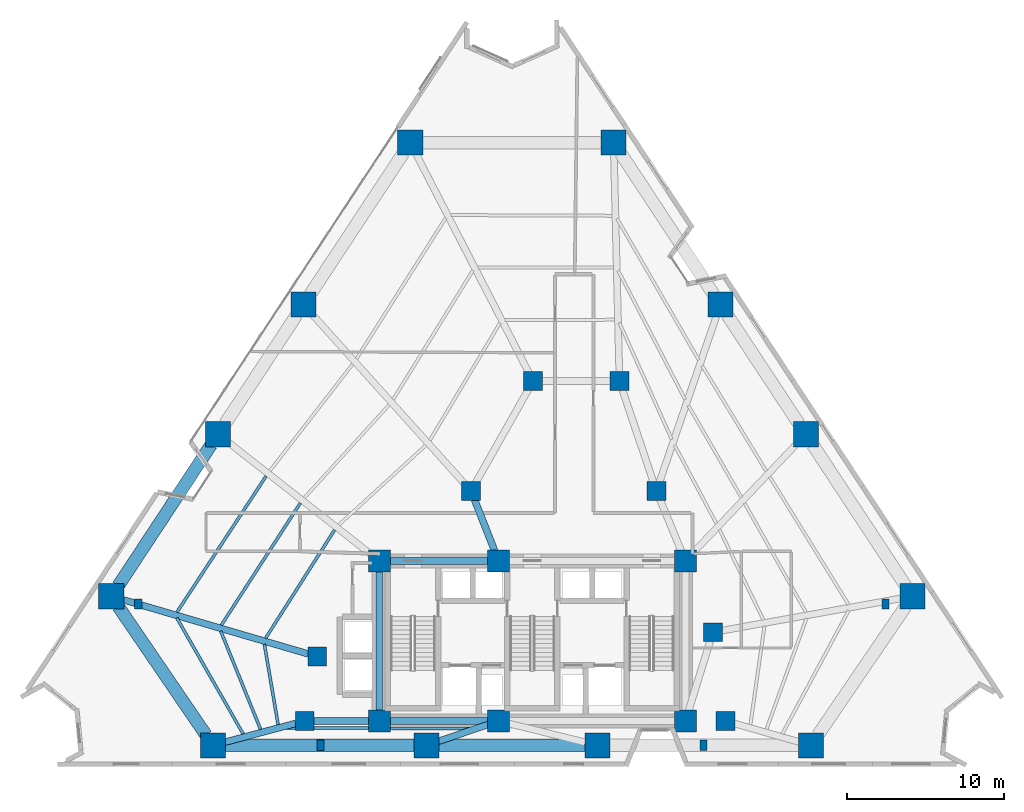
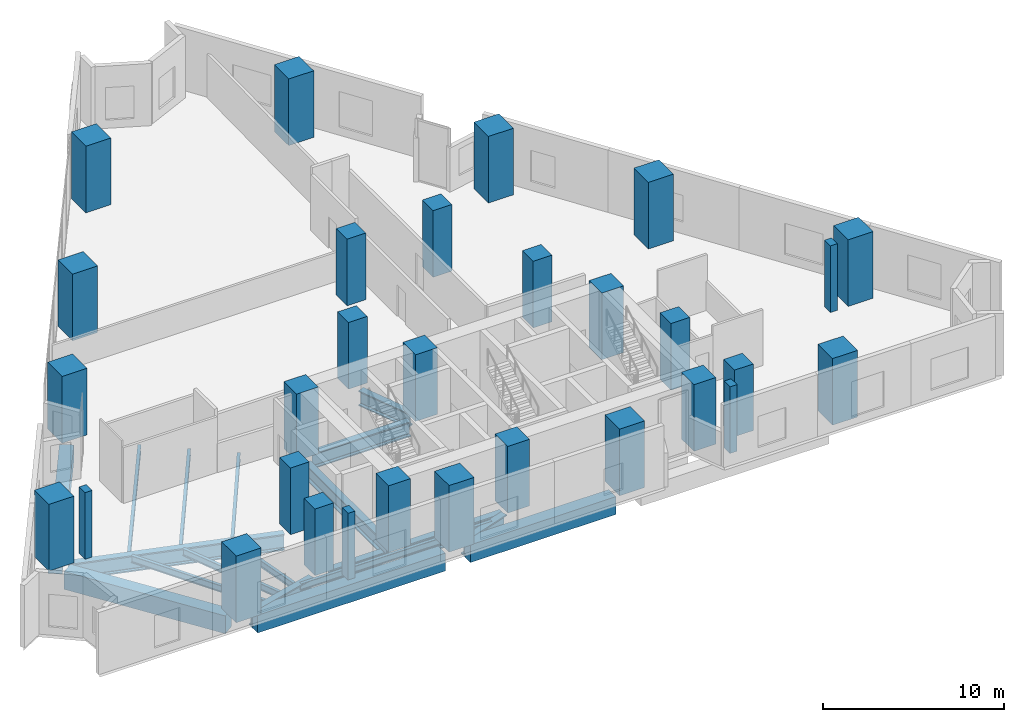
# One storey, part 1 of 11: 30 columns, 19 beams.
"""IFC4 building model written with IfcOpenShell, lengths in metres."""

from ifc_helpers import new_model, si_unit, direction, frame, origin, origin_2d, place, context, subcontext, project, spatial, rectangle, i_section, extrude, material, material_profile, profile_set, type_object, element, save


model = new_model("IFC4")

# Units and contexts
model_context = context("Model", 3, precision=1e-05, world=origin(), true_north=direction((0.0, 1.0)))
body_context = subcontext(model_context, "Body", "Model", "MODEL_VIEW")
ifc_project = project(units=[si_unit("LENGTHUNIT", "METRE"), si_unit("AREAUNIT", "SQUARE_METRE"), si_unit("VOLUMEUNIT", "CUBIC_METRE"), si_unit("PLANEANGLEUNIT", "RADIAN"), si_unit("MASSUNIT", "GRAM", prefix="KILO")], contexts=[model_context])

# Site, building, storey
site_placement = place(None, origin())
site = spatial("IfcSite", under=ifc_project, at=site_placement, CompositionType="ELEMENT")
building_placement = place(site_placement, origin())
building = spatial("IfcBuilding", under=site, at=building_placement, Name="Almagre Mirador Tower", CompositionType="ELEMENT")
storey_placement = place(building_placement, frame((0.0, 0.0, 21.89990234375)))
storey = spatial("IfcBuildingStorey", under=building, at=storey_placement, Name="L04", CompositionType="ELEMENT", Elevation=21.89990234375)

# Columns
ifc_material_1 = material(Name="Precast concrete C50/60", Category="concrete")
ifc_material_profile_1 = material_profile(ifc_material_1, rectangle(XDim=0.449951171875, YDim=0.64990234375, at=origin_2d()), Name="RC450X650")
ifc_profile_set_1 = profile_set([ifc_material_profile_1], Name="Precast concrete C50/60")
column_type_1 = type_object("IfcColumnType", Name="COL-PIL-450X650", PredefinedType="PILASTER", material=ifc_profile_set_1)
for number, where, z_axis, x_axis, name in (
    (1, (23.800048828125, 3.0, 0.0), (0.0, 0.0, 1.0), (1.0, 0.0, 0.0), "L04 expressed frame pilaster 01"),
    (2, (48.199951171875, 3.0, 0.0), (0.0, 0.0, 1.0), (1.0, 0.0, 0.0), "L04 expressed frame pilaster 02"),
    (3, (12.199951171875, 12.0, 0.0), (0.0, 0.0, 1.0), (1.0, 0.0, 0.0), "L04 expressed frame pilaster 03"),
    (4, (59.800048828125, 12.0, 0.0), (0.0, 0.0, 1.0), (1.0, 0.0, 0.0), "L04 expressed frame pilaster 04"),
):
    element("IfcColumn", number, at=place(storey_placement, frame(where, z_axis=z_axis, x_axis=x_axis)), inside=storey, type_object=column_type_1, Name=name, PredefinedType="PILASTER", context=body_context, shape_type="SweptSolid", body=[
        extrude(rectangle(XDim=0.449951171875, YDim=0.64990234375, at=origin_2d()), origin(), (0.0, 0.0, 1.0), 4.5),
    ])
ifc_material_2 = material(Name="Concrete C60/75", Category="concrete")
ifc_material_profile_2 = material_profile(ifc_material_2, rectangle(XDim=1.199951171875, YDim=1.199951171875, at=origin_2d()), Name="RC1200X1200")
ifc_profile_set_2 = profile_set([ifc_material_profile_2], Name="Concrete C60/75")
column_type_2 = type_object("IfcColumnType", Name="COL-RC1200", PredefinedType="COLUMN", material=ifc_profile_set_2)
for number, where, z_axis, x_axis, name in (
    (5, (22.800048828125, 4.550048828125, 0.0), (0.0, 0.0, 1.0), (1.0, 0.0, 0.0), "L04 interior transfer column MC1"),
    (6, (49.60009765625, 4.550048828125, 0.0), (0.0, 0.0, 1.0), (1.0, 0.0, 0.0), "L04 interior transfer column MC2"),
    (7, (48.800048828125, 10.199951171875, 0.0), (0.0, 0.0, 1.0), (1.0, 0.0, 0.0), "L04 interior transfer column MC3"),
    (8, (45.199951171875, 19.199951171875, 0.0), (0.0, 0.0, 1.0), (1.0, 0.0, 0.0), "L04 interior transfer column MC5"),
    (9, (42.85009765625, 26.199951171875, 0.0), (0.0, 0.0, 1.0), (1.0, 0.0, 0.0), "L04 interior transfer column MC6"),
    (10, (37.35009765625, 26.199951171875, 0.0), (0.0, 0.0, 1.0), (1.0, 0.0, 0.0), "L04 interior transfer column MC7"),
    (11, (33.39990234375, 19.199951171875, 0.0), (0.0, 0.0, 1.0), (1.0, 0.0, 0.0), "L04 interior transfer column MC8"),
    (12, (23.60009765625, 8.64990234375, 0.0), (0.0, 0.0, 1.0), (1.0, 0.0, 0.0), "L04 interior transfer column MC10"),
):
    element("IfcColumn", number, at=place(storey_placement, frame(where, z_axis=z_axis, x_axis=x_axis)), inside=storey, type_object=column_type_2, Name=name, PredefinedType="COLUMN", context=body_context, shape_type="SweptSolid", body=[
        extrude(rectangle(XDim=1.199951171875, YDim=1.199951171875, at=origin_2d()), origin(), (0.0, 0.0, 1.0), 4.5),
    ])
ifc_material_3 = material(Name="Concrete C60/75", Category="concrete")
ifc_material_profile_3 = material_profile(ifc_material_3, rectangle(XDim=1.39990234375, YDim=1.39990234375, at=origin_2d()), Name="RC1400X1400")
ifc_profile_set_3 = profile_set([ifc_material_profile_3], Name="Concrete C60/75")
column_type_3 = type_object("IfcColumnType", Name="COL-RC1400", PredefinedType="COLUMN", material=ifc_profile_set_3)
for number, where, z_axis, x_axis, name in (
    (13, (27.550048828125, 4.550048828125, 0.0), (0.0, 0.0, 1.0), (1.0, 0.0, 0.0), "L04 core spine column CC1"),
    (14, (35.14990234375, 4.550048828125, 0.0), (0.0, 0.0, 1.0), (1.0, 0.0, 0.0), "L04 core spine column CC2"),
    (15, (47.050048828125, 4.550048828125, 0.0), (0.0, 0.0, 1.0), (1.0, 0.0, 0.0), "L04 core spine column CC3"),
    (16, (27.550048828125, 14.75, 0.0), (0.0, 0.0, 1.0), (1.0, 0.0, 0.0), "L04 core spine column CC4"),
    (17, (35.14990234375, 14.75, 0.0), (0.0, 0.0, 1.0), (1.0, 0.0, 0.0), "L04 core spine column CC5"),
    (18, (47.050048828125, 14.75, 0.0), (0.0, 0.0, 1.0), (1.0, 0.0, 0.0), "L04 core spine column CC6"),
):
    element("IfcColumn", number, at=place(storey_placement, frame(where, z_axis=z_axis, x_axis=x_axis)), inside=storey, type_object=column_type_3, Name=name, PredefinedType="COLUMN", context=body_context, shape_type="SweptSolid", body=[
        extrude(rectangle(XDim=1.39990234375, YDim=1.39990234375, at=origin_2d()), origin(), (0.0, 0.0, 1.0), 4.5),
    ])
ifc_material_4 = material(Name="Concrete C70/85", Category="concrete")
ifc_material_profile_4 = material_profile(ifc_material_4, rectangle(XDim=1.60009765625, YDim=1.60009765625, at=origin_2d()), Name="RC1600X1600")
ifc_profile_set_4 = profile_set([ifc_material_profile_4], Name="Concrete C70/85")
column_type_4 = type_object("IfcColumnType", Name="COL-RC1600", PredefinedType="COLUMN", material=ifc_profile_set_4)
for number, where, z_axis, x_axis, name in (
    (19, (16.9599609375, 3.0, 0.0), (0.0, 0.0, 1.0), (1.0, 0.0, 0.0), "L04 perimeter column PC01"),
    (20, (30.56005859375, 3.0, 0.0), (0.0, 0.0, 1.0), (1.0, 0.0, 0.0), "L04 perimeter column PC02"),
    (21, (41.43994140625, 3.0, 0.0), (0.0, 0.0, 1.0), (1.0, 0.0, 0.0), "L04 perimeter column PC03"),
    (22, (55.0400390625, 3.0, 0.0), (0.0, 0.0, 1.0), (1.0, 0.0, 0.0), "L04 perimeter column PC04"),
    (23, (61.51806640625, 12.491943359375, 0.0), (0.0, 0.0, 1.0), (1.0, 0.0, 0.0), "L04 perimeter column PC05"),
    (24, (54.718017578125, 22.81201171875, 0.0), (0.0, 0.0, 1.0), (1.0, 0.0, 0.0), "L04 perimeter column PC06"),
    (25, (49.278076171875, 31.068115234375, 0.0), (0.0, 0.0, 1.0), (1.0, 0.0, 0.0), "L04 perimeter column PC07"),
    (26, (42.47802734375, 41.387939453125, 0.0), (0.0, 0.0, 1.0), (1.0, 0.0, 0.0), "L04 perimeter column PC08"),
    (27, (29.52197265625, 41.387939453125, 0.0), (0.0, 0.0, 1.0), (1.0, 0.0, 0.0), "L04 perimeter column PC09"),
    (28, (22.721923828125, 31.068115234375, 0.0), (0.0, 0.0, 1.0), (1.0, 0.0, 0.0), "L04 perimeter column PC10"),
    (29, (17.281982421875, 22.81201171875, 0.0), (0.0, 0.0, 1.0), (1.0, 0.0, 0.0), "L04 perimeter column PC11"),
    (30, (10.48193359375, 12.491943359375, 0.0), (0.0, 0.0, 1.0), (1.0, 0.0, 0.0), "L04 perimeter column PC12"),
):
    element("IfcColumn", number, at=place(storey_placement, frame(where, z_axis=z_axis, x_axis=x_axis)), inside=storey, type_object=column_type_4, Name=name, PredefinedType="COLUMN", context=body_context, shape_type="SweptSolid", body=[
        extrude(rectangle(XDim=1.60009765625, YDim=1.60009765625, at=origin_2d()), origin(), (0.0, 0.0, 1.0), 4.5),
    ])

# Beams
ifc_material_5 = material(Name="Steel ASTM A992 Grade 50", Category="steel")
ifc_material_profile_5 = material_profile(ifc_material_5, i_section(OverallWidth=0.19091796875, OverallDepth=0.4599609375, WebThickness=0.010009765625, FlangeThickness=0.01611328125, FilletRadius=0.01611328125, at=origin_2d()), Name="W18X55")
ifc_profile_set_5 = profile_set([ifc_material_profile_5], Name="Steel ASTM A992 Grade 50")
beam_type_1 = type_object("IfcBeamType", Name="BM-JST-W18X55", PredefinedType="JOIST", material=ifc_profile_set_5)
beam_1_placement = place(storey_placement, frame((21.355224609375, 4.109619140625, -0.52978515625), z_axis=(0.999994644337, -0.003272811963, 0.0), x_axis=(0.003272811963, 0.999994644337, 0.0)))
element("IfcBeam", 31, at=beam_1_placement, inside=storey, type_object=beam_type_1, Name="L04 secondary floor joist PC01-PC02.3", PredefinedType="JOIST", context=body_context, shape_type="SweptSolid", body=[
    extrude(i_section(OverallWidth=0.19091796875, OverallDepth=0.4599609375, WebThickness=0.010009765625, FlangeThickness=0.01611328125, FilletRadius=0.01611328125, at=origin_2d()), origin(), (0.0, 0.0, 1.0), 12.1591796875),
])
beam_2_placement = place(storey_placement, frame((20.339599609375, 20.142578125, -0.52978515625), z_axis=(-0.548057533709, -0.836440637311, 0.0), x_axis=(0.836440637311, -0.548057533709, 0.0)))
element("IfcBeam", 32, at=beam_2_placement, inside=storey, type_object=beam_type_1, Name="L04 secondary floor joist PC11-PC12.1", PredefinedType="JOIST", context=body_context, shape_type="SweptSolid", body=[
    extrude(i_section(OverallWidth=0.19091796875, OverallDepth=0.4599609375, WebThickness=0.010009765625, FlangeThickness=0.01611328125, FilletRadius=0.01611328125, at=origin_2d()), origin(), (0.0, 0.0, 1.0), 10.35791015625),
])
beam_3_placement = place(storey_placement, frame((22.52197265625, 18.429443359375, -0.52978515625), z_axis=(-0.543393311141, -0.839478236411, 0.0), x_axis=(0.839478236411, -0.543393311141, 0.0)))
element("IfcBeam", 33, at=beam_3_placement, inside=storey, type_object=beam_type_1, Name="L04 secondary floor joist PC11-PC12.2", PredefinedType="JOIST", context=body_context, shape_type="SweptSolid", body=[
    extrude(i_section(OverallWidth=0.19091796875, OverallDepth=0.4599609375, WebThickness=0.010009765625, FlangeThickness=0.01611328125, FilletRadius=0.01611328125, at=origin_2d()), origin(), (0.0, 0.0, 1.0), 9.264892578125),
])
beam_4_placement = place(storey_placement, frame((24.704345703125, 16.716064453125, -0.52978515625), z_axis=(-0.537470771292, -0.84328237857, 0.0), x_axis=(0.84328237857, -0.537470771292, 0.0)))
element("IfcBeam", 34, at=beam_4_placement, inside=storey, type_object=beam_type_1, Name="L04 secondary floor joist PC11-PC12.3", PredefinedType="JOIST", context=body_context, shape_type="SweptSolid", body=[
    extrude(i_section(OverallWidth=0.19091796875, OverallDepth=0.4599609375, WebThickness=0.010009765625, FlangeThickness=0.01611328125, FilletRadius=0.01611328125, at=origin_2d()), origin(), (0.0, 0.0, 1.0), 8.171875),
])
beam_5_placement = place(storey_placement, frame((14.65185546875, 11.117431640625, -0.52978515625), z_axis=(0.496743635229, -0.867897321611, 0.0), x_axis=(0.867897321611, 0.496743635229, 0.0)))
element("IfcBeam", 35, at=beam_5_placement, inside=storey, type_object=beam_type_1, Name="L04 secondary floor joist PC12-PC01.1", PredefinedType="JOIST", context=body_context, shape_type="SweptSolid", body=[
    extrude(i_section(OverallWidth=0.19091796875, OverallDepth=0.4599609375, WebThickness=0.010009765625, FlangeThickness=0.01611328125, FilletRadius=0.01611328125, at=origin_2d()), origin(), (0.0, 0.0, 1.0), 8.520263671875),
])
beam_6_placement = place(storey_placement, frame((17.451904296875, 10.27734375, -0.52978515625), z_axis=(0.375521248996, -0.926813784723, 0.0), x_axis=(0.926813784723, 0.375521248996, 0.0)))
element("IfcBeam", 36, at=beam_6_placement, inside=storey, type_object=beam_type_1, Name="L04 secondary floor joist PC12-PC01.2", PredefinedType="JOIST", context=body_context, shape_type="SweptSolid", body=[
    extrude(i_section(OverallWidth=0.19091796875, OverallDepth=0.4599609375, WebThickness=0.010009765625, FlangeThickness=0.01611328125, FilletRadius=0.01611328125, at=origin_2d()), origin(), (0.0, 0.0, 1.0), 6.75048828125),
])
beam_7_placement = place(storey_placement, frame((20.23388671875, 9.437255859375, -0.52978515625), z_axis=(0.16829423407, -0.985736806038, 0.0), x_axis=(0.985736806038, 0.16829423407, 0.0)))
element("IfcBeam", 37, at=beam_7_placement, inside=storey, type_object=beam_type_1, Name="L04 secondary floor joist PC12-PC01.3", PredefinedType="JOIST", context=body_context, shape_type="SweptSolid", body=[
    extrude(i_section(OverallWidth=0.19091796875, OverallDepth=0.4599609375, WebThickness=0.010009765625, FlangeThickness=0.01611328125, FilletRadius=0.01611328125, at=origin_2d()), origin(), (0.0, 0.0, 1.0), 5.19189453125),
])
ifc_material_6 = material(Name="Precast concrete C50/60", Category="concrete")
ifc_material_profile_6 = material_profile(ifc_material_6, rectangle(XDim=0.800048828125, YDim=1.199951171875, at=origin_2d()), Name="RC800X1200")
ifc_profile_set_6 = profile_set([ifc_material_profile_6], Name="Precast concrete C50/60")
beam_type_2 = type_object("IfcBeamType", Name="BM-SPN-RC800X1200", PredefinedType="SPANDREL", material=ifc_profile_set_6)
beam_8_placement = place(storey_placement, frame((17.760009765625, 3.0, -0.89990234375), z_axis=(1.0, 0.0, 0.0), x_axis=(0.0, 1.0, 0.0)))
element("IfcBeam", 38, at=beam_8_placement, inside=storey, type_object=beam_type_2, Name="L04 perimeter spandrel beam PC01-PC02", PredefinedType="SPANDREL", context=body_context, shape_type="SweptSolid", body=[
    extrude(rectangle(XDim=0.800048828125, YDim=1.199951171875, at=origin_2d()), origin(), (0.0, 0.0, 1.0), 12.0),
])
beam_9_placement = place(storey_placement, frame((31.360107421875, 3.0, -0.89990234375), z_axis=(1.0, 0.0, 0.0), x_axis=(0.0, 1.0, 0.0)))
element("IfcBeam", 39, at=beam_9_placement, inside=storey, type_object=beam_type_2, Name="L04 perimeter spandrel beam PC02-PC03", PredefinedType="SPANDREL", context=body_context, shape_type="SweptSolid", body=[
    extrude(rectangle(XDim=0.800048828125, YDim=1.199951171875, at=origin_2d()), origin(), (0.0, 0.0, 1.0), 9.27978515625),
])
beam_10_placement = place(storey_placement, frame((16.841796875, 22.14404296875, -0.89990234375), z_axis=(-0.550204417923, -0.835029998562, 0.0), x_axis=(0.835029998562, -0.550204417923, 0.0)))
element("IfcBeam", 40, at=beam_10_placement, inside=storey, type_object=beam_type_2, Name="L04 perimeter spandrel beam PC11-PC12", PredefinedType="SPANDREL", context=body_context, shape_type="SweptSolid", body=[
    extrude(rectangle(XDim=0.800048828125, YDim=1.199951171875, at=origin_2d()), origin(), (0.0, 0.0, 1.0), 10.759033203125),
])
beam_11_placement = place(storey_placement, frame((10.93310546875, 11.831298828125, -0.89990234375), z_axis=(0.563695189414, -0.825982889309, 0.0), x_axis=(0.825982889309, 0.563695189414, 0.0)))
element("IfcBeam", 41, at=beam_11_placement, inside=storey, type_object=beam_type_2, Name="L04 perimeter spandrel beam PC12-PC01", PredefinedType="SPANDREL", context=body_context, shape_type="SweptSolid", body=[
    extrude(rectangle(XDim=0.800048828125, YDim=1.199951171875, at=origin_2d()), origin(), (0.0, 0.0, 1.0), 9.891845703125),
])
ifc_material_7 = material(Name="Steel ASTM A992 Grade 50", Category="steel")
ifc_material_profile_7 = material_profile(ifc_material_7, i_section(OverallWidth=0.43701171875, OverallDepth=1.010986328125, WebThickness=0.041015625, FlangeThickness=0.073974609375, FilletRadius=0.028076171875, at=origin_2d()), Name="W36X529")
ifc_profile_set_7 = profile_set([ifc_material_profile_7], Name="Steel ASTM A992 Grade 50")
beam_type_3 = type_object("IfcBeamType", Name="BM-STL-W36X529", PredefinedType="BEAM", material=ifc_profile_set_7)
for number, where, z_axis, x_axis, name in (
    (42, (28.25, 4.550048828125, -0.805419921875), (1.0, 0.0, 0.0), (0.0, 1.0, 0.0), "L04 core tie girder CC1-CC2"),
    (43, (28.25, 14.75, -0.805419921875), (1.0, 0.0, 0.0), (0.0, 1.0, 0.0), "L04 core tie girder CC4-CC5"),
):
    element("IfcBeam", number, at=place(storey_placement, frame(where, z_axis=z_axis, x_axis=x_axis)), inside=storey, type_object=beam_type_3, Name=name, PredefinedType="BEAM", context=body_context, shape_type="SweptSolid", body=[
        extrude(i_section(OverallWidth=0.43701171875, OverallDepth=1.010986328125, WebThickness=0.041015625, FlangeThickness=0.073974609375, FilletRadius=0.028076171875, at=origin_2d()), origin(), (0.0, 0.0, 1.0), 6.199951171875),
    ])
beam_12_placement = place(storey_placement, frame((27.550048828125, 5.25, -0.805419921875), z_axis=(0.0, 1.0, 0.0), x_axis=(-1.0, 0.0, 0.0)))
element("IfcBeam", 44, at=beam_12_placement, inside=storey, type_object=beam_type_3, Name="L04 core tie girder CC1-CC4", PredefinedType="BEAM", context=body_context, shape_type="SweptSolid", body=[
    extrude(i_section(OverallWidth=0.43701171875, OverallDepth=1.010986328125, WebThickness=0.041015625, FlangeThickness=0.073974609375, FilletRadius=0.028076171875, at=origin_2d()), origin(), (0.0, 0.0, 1.0), 8.800048828125),
])
beam_13_placement = place(storey_placement, frame((23.39990234375, 4.550048828125, -0.805419921875), z_axis=(1.0, 0.0, 0.0), x_axis=(0.0, 1.0, 0.0)))
element("IfcBeam", 45, at=beam_13_placement, inside=storey, type_object=beam_type_3, Name="L04 core tie girder MC1-CC1", PredefinedType="BEAM", context=body_context, shape_type="SweptSolid", body=[
    extrude(i_section(OverallWidth=0.43701171875, OverallDepth=1.010986328125, WebThickness=0.041015625, FlangeThickness=0.073974609375, FilletRadius=0.028076171875, at=origin_2d()), origin(), (0.0, 0.0, 1.0), 3.4501953125),
])
beam_14_placement = place(storey_placement, frame((33.61962890625, 18.6416015625, -0.805419921875), z_axis=(0.365956076985, -0.93063212373, 0.0), x_axis=(0.93063212373, 0.365956076985, 0.0)))
element("IfcBeam", 46, at=beam_14_placement, inside=storey, type_object=beam_type_3, Name="L04 core tie girder MC8-CC5", PredefinedType="BEAM", context=body_context, shape_type="SweptSolid", body=[
    extrude(i_section(OverallWidth=0.43701171875, OverallDepth=1.010986328125, WebThickness=0.041015625, FlangeThickness=0.073974609375, FilletRadius=0.028076171875, at=origin_2d()), origin(), (0.0, 0.0, 1.0), 3.481689453125),
])
ifc_material_8 = material(Name="Steel ASTM A913 Grade 65", Category="steel")
ifc_material_profile_8 = material_profile(ifc_material_8, i_section(OverallWidth=0.424072265625, OverallDepth=1.092041015625, WebThickness=0.04541015625, FlangeThickness=0.08203125, FilletRadius=0.030029296875, at=origin_2d()), Name="W40X593")
ifc_profile_set_8 = profile_set([ifc_material_profile_8], Name="Steel ASTM A913 Grade 65")
beam_type_4 = type_object("IfcBeamType", Name="BM-STL-W40X593", PredefinedType="BEAM", material=ifc_profile_set_8)
beam_15_placement = place(storey_placement, frame((17.733154296875, 3.205078125, -0.845947265625), z_axis=(0.966536281721, 0.256529951697, 0.0), x_axis=(-0.256529951697, 0.966536281721, 0.0)))
element("IfcBeam", 47, at=beam_15_placement, inside=storey, type_object=beam_type_4, Name="L04 radial floor girder PC01-MC1", PredefinedType="BEAM", context=body_context, shape_type="SweptSolid", body=[
    extrude(i_section(OverallWidth=0.424072265625, OverallDepth=1.092041015625, WebThickness=0.04541015625, FlangeThickness=0.08203125, FilletRadius=0.030029296875, at=origin_2d()), origin(), (0.0, 0.0, 1.0), 4.642333984375),
])
beam_16_placement = place(storey_placement, frame((31.318115234375, 3.256103515625, -0.845947265625), z_axis=(0.947457161142, 0.319882678182, 0.0), x_axis=(-0.319882678182, 0.947457161142, 0.0)))
element("IfcBeam", 48, at=beam_16_placement, inside=storey, type_object=beam_type_4, Name="L04 radial floor girder PC02-CC2", PredefinedType="BEAM", context=body_context, shape_type="SweptSolid", body=[
    extrude(i_section(OverallWidth=0.424072265625, OverallDepth=1.092041015625, WebThickness=0.04541015625, FlangeThickness=0.08203125, FilletRadius=0.030029296875, at=origin_2d()), origin(), (0.0, 0.0, 1.0), 3.344482421875),
])
beam_17_placement = place(storey_placement, frame((11.249755859375, 12.26708984375, -0.845947265625), z_axis=(0.959686493559, -0.281072649115, 0.0), x_axis=(0.281072649115, 0.959686493559, 0.0)))
element("IfcBeam", 49, at=beam_17_placement, inside=storey, type_object=beam_type_4, Name="L04 radial floor girder PC12-MC10", PredefinedType="BEAM", context=body_context, shape_type="SweptSolid", body=[
    extrude(i_section(OverallWidth=0.424072265625, OverallDepth=1.092041015625, WebThickness=0.04541015625, FlangeThickness=0.08203125, FilletRadius=0.030029296875, at=origin_2d()), origin(), (0.0, 0.0, 1.0), 12.26904296875),
])

save(model, "model.ifc")
